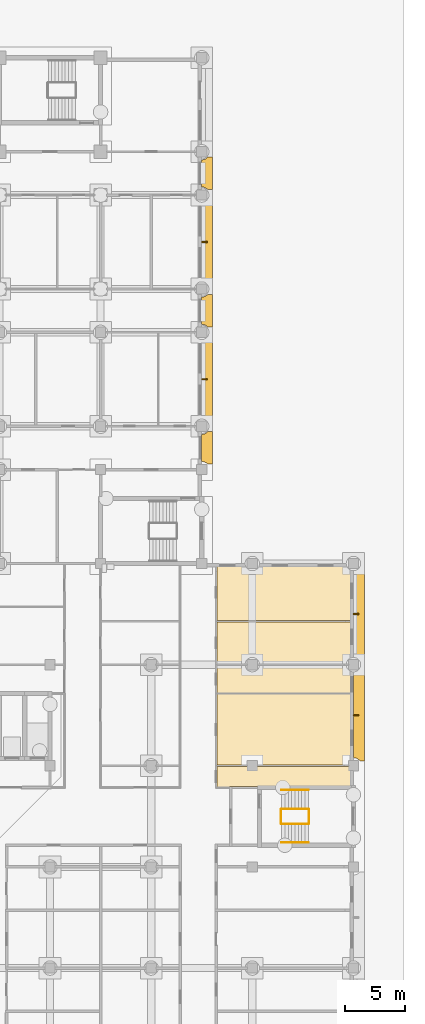
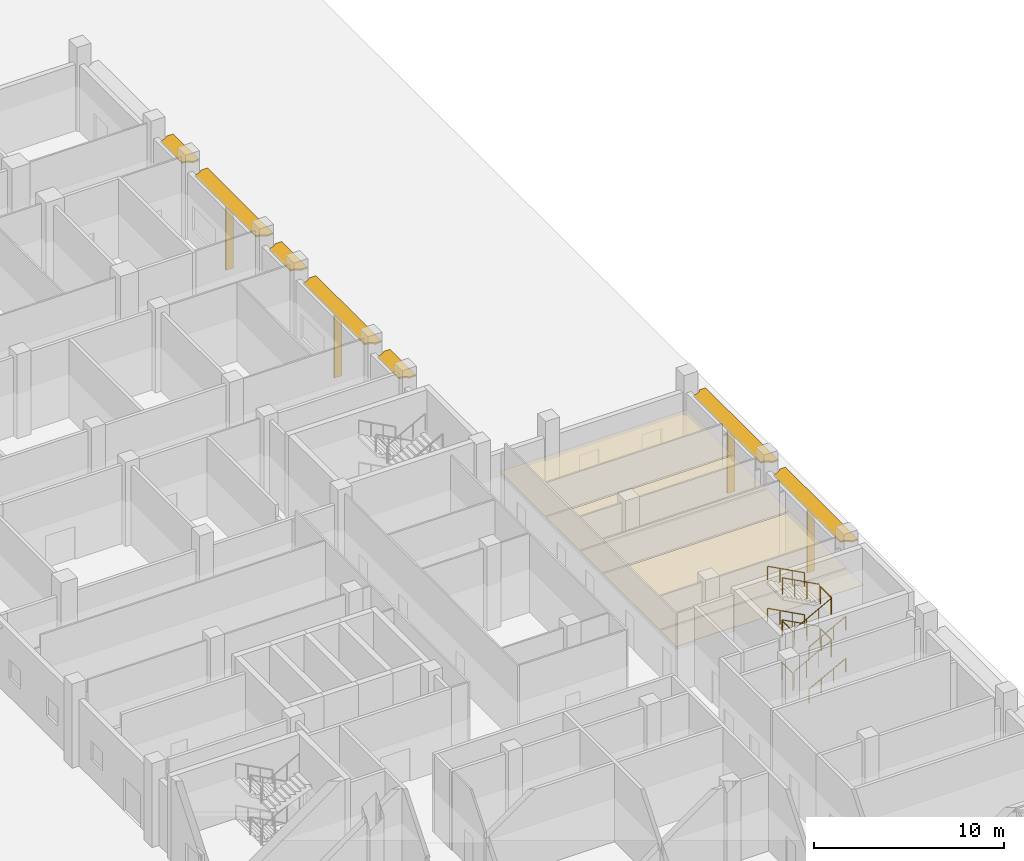
# One storey, part 139 of 146: 12 railings, 11 shading devices, 5 coverings.
"""IFC4 building model written with IfcOpenShell, lengths in metres."""

from ifc_helpers import new_model, si_unit, direction, frame, origin, origin_2d, place, context, subcontext, project, spatial, polyline, rectangle, circle, outline, extrude, material, layer, layer_set, material_profile, profile_set, type_object, element, save


model = new_model("IFC4")

# Units and contexts
model_context = context("Model", 3, precision=1e-05, world=origin(), true_north=direction((0.0, 1.0)))
body_context = subcontext(model_context, "Body", "Model", "MODEL_VIEW")
ifc_project = project(units=[si_unit("LENGTHUNIT", "METRE"), si_unit("AREAUNIT", "SQUARE_METRE"), si_unit("VOLUMEUNIT", "CUBIC_METRE"), si_unit("PLANEANGLEUNIT", "RADIAN"), si_unit("MASSUNIT", "GRAM", prefix="KILO")], contexts=[model_context])

# Site, building, storey
site_placement = place(None, origin())
site = spatial("IfcSite", under=ifc_project, at=site_placement, CompositionType="ELEMENT")
building_placement = place(site_placement, origin())
building = spatial("IfcBuilding", under=site, at=building_placement, Name="Bougainvillea Quay General Hospital", CompositionType="ELEMENT")
storey_placement = place(building_placement, origin())
storey = spatial("IfcBuildingStorey", under=building, at=storey_placement, Name="L00", CompositionType="ELEMENT", Elevation=0.0)

# Railings
ifc_material_1 = material(Name="Stainless steel 304 balustrade", Category="steel")
railing_type_1 = type_object("IfcRailingType", Name="Stair guard 1100", PredefinedType="GUARDRAIL", material=ifc_material_1)
railing_1_placement = place(storey_placement, frame((199.824951171875, 95.97509765625, 0.14990234375)))
element("IfcRailing", 1, at=railing_1_placement, inside=storey, type_object=railing_type_1, Name="L00 ST-T2 stair guard 1", PredefinedType="GUARDRAIL", context=body_context, shape_type="SweptSolid", body=[
    extrude(circle(Radius=0.02392578125, at=origin_2d()), frame((0.0, 0.0, 1.076171875), z_axis=(0.881447119201, 0.0, 0.472282728937), x_axis=(0.0, 1.0, 0.0)), (0.0, 0.0, 1.0), 2.541259765625),
    extrude(circle(Radius=0.02099609375, at=origin_2d()), origin(), (0.0, 0.0, 1.0), 1.052001953125),
    extrude(circle(Radius=0.02099609375, at=origin_2d()), frame((0.74658203125, 0.0, 0.400146484375)), (0.0, 0.0, 1.0), 1.052001953125),
    extrude(circle(Radius=0.02099609375, at=origin_2d()), frame((1.493408203125, 0.0, 0.800048828125)), (0.0, 0.0, 1.0), 1.052001953125),
    extrude(circle(Radius=0.02099609375, at=origin_2d()), frame((2.239990234375, 0.0, 1.2001953125)), (0.0, 0.0, 1.0), 1.052001953125),
])
railing_2_placement = place(storey_placement, frame((202.114990234375, 96.02490234375, 1.35009765625)))
element("IfcRailing", 2, at=railing_2_placement, inside=storey, type_object=railing_type_1, Name="L00 ST-T2 stair guard 2", PredefinedType="GUARDRAIL", context=body_context, shape_type="SweptSolid", body=[
    extrude(circle(Radius=0.02392578125, at=origin_2d()), frame((0.0, 0.0, 1.076171875), z_axis=(0.0, 1.0, 0.0), x_axis=(-1.0, 0.0, 0.0)), (0.0, 0.0, 1.0), 1.150146484375),
    extrude(circle(Radius=0.02099609375, at=origin_2d()), origin(), (0.0, 0.0, 1.0), 1.052001953125),
    extrude(circle(Radius=0.02099609375, at=origin_2d()), frame((0.0, 1.150146484375, 0.0)), (0.0, 0.0, 1.0), 1.052001953125),
])
railing_3_placement = place(storey_placement, frame((202.06494140625, 97.22509765625, 1.5)))
element("IfcRailing", 3, at=railing_3_placement, inside=storey, type_object=railing_type_1, Name="L00 ST-T2 stair guard 3", PredefinedType="GUARDRAIL", context=body_context, shape_type="SweptSolid", body=[
    extrude(circle(Radius=0.02392578125, at=origin_2d()), frame((0.0, 0.0, 1.076171875), z_axis=(-0.881487111273, 0.0, 0.472208081951), x_axis=(0.0, -1.0, 0.0)), (0.0, 0.0, 1.0), 2.541259765625),
    extrude(circle(Radius=0.02099609375, at=origin_2d()), origin(), (0.0, 0.0, 1.0), 1.052001953125),
    extrude(circle(Radius=0.02099609375, at=origin_2d()), frame((-0.74658203125, 0.0, 0.39990234375)), (0.0, 0.0, 1.0), 1.052001953125),
    extrude(circle(Radius=0.02099609375, at=origin_2d()), frame((-1.493408203125, 0.0, 0.800048828125)), (0.0, 0.0, 1.0), 1.052001953125),
    extrude(circle(Radius=0.02099609375, at=origin_2d()), frame((-2.239990234375, 0.0, 1.199951171875)), (0.0, 0.0, 1.0), 1.052001953125),
])
railing_4_placement = place(storey_placement, frame((199.77490234375, 96.02490234375, 2.699951171875)))
element("IfcRailing", 4, at=railing_4_placement, inside=storey, type_object=railing_type_1, Name="L00 ST-T2 stair guard 4", PredefinedType="GUARDRAIL", context=body_context, shape_type="SweptSolid", body=[
    extrude(circle(Radius=0.02392578125, at=origin_2d()), frame((0.0, 0.0, 1.076171875), z_axis=(0.0, 1.0, 0.0), x_axis=(-1.0, 0.0, 0.0)), (0.0, 0.0, 1.0), 1.150146484375),
    extrude(circle(Radius=0.02099609375, at=origin_2d()), origin(), (0.0, 0.0, 1.0), 1.052001953125),
    extrude(circle(Radius=0.02099609375, at=origin_2d()), frame((0.0, 1.150146484375, 0.0)), (0.0, 0.0, 1.0), 1.052001953125),
])
railing_5_placement = place(storey_placement, frame((199.824951171875, 95.97509765625, 2.85009765625)))
element("IfcRailing", 5, at=railing_5_placement, inside=storey, type_object=railing_type_1, Name="L00 ST-T2 stair guard 5", PredefinedType="GUARDRAIL", context=body_context, shape_type="SweptSolid", body=[
    extrude(circle(Radius=0.02392578125, at=origin_2d()), frame((0.0, 0.0, 1.076171875), z_axis=(0.881487111273, 0.0, 0.472208081951), x_axis=(0.0, 1.0, 0.0)), (0.0, 0.0, 1.0), 2.541259765625),
    extrude(circle(Radius=0.02099609375, at=origin_2d()), origin(), (0.0, 0.0, 1.0), 1.052001953125),
    extrude(circle(Radius=0.02099609375, at=origin_2d()), frame((0.74658203125, 0.0, 0.39990234375)), (0.0, 0.0, 1.0), 1.052001953125),
    extrude(circle(Radius=0.02099609375, at=origin_2d()), frame((1.493408203125, 0.0, 0.800048828125)), (0.0, 0.0, 1.0), 1.052001953125),
    extrude(circle(Radius=0.02099609375, at=origin_2d()), frame((2.239990234375, 0.0, 1.199951171875)), (0.0, 0.0, 1.0), 1.052001953125),
])
railing_6_placement = place(storey_placement, frame((202.114990234375, 96.02490234375, 4.050048828125)))
element("IfcRailing", 6, at=railing_6_placement, inside=storey, type_object=railing_type_1, Name="L00 ST-T2 stair guard 6", PredefinedType="GUARDRAIL", context=body_context, shape_type="SweptSolid", body=[
    extrude(circle(Radius=0.02392578125, at=origin_2d()), frame((0.0, 0.0, 1.076171875), z_axis=(0.0, 1.0, 0.0), x_axis=(-1.0, 0.0, 0.0)), (0.0, 0.0, 1.0), 1.150146484375),
    extrude(circle(Radius=0.02099609375, at=origin_2d()), origin(), (0.0, 0.0, 1.0), 1.052001953125),
    extrude(circle(Radius=0.02099609375, at=origin_2d()), frame((0.0, 1.150146484375, 0.0)), (0.0, 0.0, 1.0), 1.052001953125),
])
railing_7_placement = place(storey_placement, frame((202.06494140625, 97.22509765625, 4.199951171875)))
element("IfcRailing", 7, at=railing_7_placement, inside=storey, type_object=railing_type_1, Name="L00 ST-T2 stair guard 7", PredefinedType="GUARDRAIL", context=body_context, shape_type="SweptSolid", body=[
    extrude(circle(Radius=0.02392578125, at=origin_2d()), frame((0.0, 0.0, 1.076171875), z_axis=(-0.881487111273, 0.0, 0.472208081951), x_axis=(0.0, -1.0, 0.0)), (0.0, 0.0, 1.0), 2.541259765625),
    extrude(circle(Radius=0.02099609375, at=origin_2d()), origin(), (0.0, 0.0, 1.0), 1.052001953125),
    extrude(circle(Radius=0.02099609375, at=origin_2d()), frame((-0.74658203125, 0.0, 0.39990234375)), (0.0, 0.0, 1.0), 1.052001953125),
    extrude(circle(Radius=0.02099609375, at=origin_2d()), frame((-1.493408203125, 0.0, 0.800048828125)), (0.0, 0.0, 1.0), 1.052001953125),
    extrude(circle(Radius=0.02099609375, at=origin_2d()), frame((-2.239990234375, 0.0, 1.199951171875)), (0.0, 0.0, 1.0), 1.052001953125),
])
railing_8_placement = place(storey_placement, frame((199.77490234375, 96.02490234375, 0.0)))
element("IfcRailing", 8, at=railing_8_placement, inside=storey, type_object=railing_type_1, Name="L00 ST-T2 stair guard 8", PredefinedType="GUARDRAIL", context=body_context, shape_type="SweptSolid", body=[
    extrude(circle(Radius=0.02392578125, at=origin_2d()), frame((0.0, 0.0, 1.076171875), z_axis=(0.0, 1.0, 0.0), x_axis=(-1.0, 0.0, 0.0)), (0.0, 0.0, 1.0), 1.150146484375),
    extrude(circle(Radius=0.02099609375, at=origin_2d()), origin(), (0.0, 0.0, 1.0), 1.052001953125),
    extrude(circle(Radius=0.02099609375, at=origin_2d()), frame((0.0, 1.150146484375, 0.0)), (0.0, 0.0, 1.0), 1.052001953125),
])
ifc_material_2 = material(Name="Stainless steel 304 handrail", Category="steel")
railing_type_2 = type_object("IfcRailingType", Name="Stair handrail 900", PredefinedType="HANDRAIL", material=ifc_material_2)
railing_9_placement = place(storey_placement, frame((199.824951171875, 94.425048828125, 0.14990234375)))
element("IfcRailing", 9, at=railing_9_placement, inside=storey, type_object=railing_type_2, Name="L00 ST-T2 stair handrail 1", PredefinedType="HANDRAIL", context=body_context, shape_type="SweptSolid", body=[
    extrude(circle(Radius=0.02392578125, at=origin_2d()), frame((0.0, 0.0, 0.8759765625), z_axis=(0.881447119201, 0.0, 0.472282728937), x_axis=(0.0, 1.0, 0.0)), (0.0, 0.0, 1.0), 2.541259765625),
    extrude(circle(Radius=0.02099609375, at=origin_2d()), origin(), (0.0, 0.0, 1.0), 0.851806640625),
    extrude(circle(Radius=0.02099609375, at=origin_2d()), frame((0.74658203125, 0.0, 0.400146484375)), (0.0, 0.0, 1.0), 0.851806640625),
    extrude(circle(Radius=0.02099609375, at=origin_2d()), frame((1.493408203125, 0.0, 0.800048828125)), (0.0, 0.0, 1.0), 0.851806640625),
    extrude(circle(Radius=0.02099609375, at=origin_2d()), frame((2.239990234375, 0.0, 1.2001953125)), (0.0, 0.0, 1.0), 0.851806640625),
])
railing_10_placement = place(storey_placement, frame((202.06494140625, 98.77490234375, 1.5)))
element("IfcRailing", 10, at=railing_10_placement, inside=storey, type_object=railing_type_2, Name="L00 ST-T2 stair handrail 2", PredefinedType="HANDRAIL", context=body_context, shape_type="SweptSolid", body=[
    extrude(circle(Radius=0.02392578125, at=origin_2d()), frame((0.0, 0.0, 0.8759765625), z_axis=(-0.881487111273, 0.0, 0.472208081951), x_axis=(0.0, -1.0, 0.0)), (0.0, 0.0, 1.0), 2.541259765625),
    extrude(circle(Radius=0.02099609375, at=origin_2d()), origin(), (0.0, 0.0, 1.0), 0.851806640625),
    extrude(circle(Radius=0.02099609375, at=origin_2d()), frame((-0.74658203125, 0.0, 0.39990234375)), (0.0, 0.0, 1.0), 0.851806640625),
    extrude(circle(Radius=0.02099609375, at=origin_2d()), frame((-1.493408203125, 0.0, 0.800048828125)), (0.0, 0.0, 1.0), 0.851806640625),
    extrude(circle(Radius=0.02099609375, at=origin_2d()), frame((-2.239990234375, 0.0, 1.199951171875)), (0.0, 0.0, 1.0), 0.851806640625),
])
railing_11_placement = place(storey_placement, frame((199.824951171875, 94.425048828125, 2.85009765625)))
element("IfcRailing", 11, at=railing_11_placement, inside=storey, type_object=railing_type_2, Name="L00 ST-T2 stair handrail 3", PredefinedType="HANDRAIL", context=body_context, shape_type="SweptSolid", body=[
    extrude(circle(Radius=0.02392578125, at=origin_2d()), frame((0.0, 0.0, 0.8759765625), z_axis=(0.881487111273, 0.0, 0.472208081951), x_axis=(0.0, 1.0, 0.0)), (0.0, 0.0, 1.0), 2.541259765625),
    extrude(circle(Radius=0.02099609375, at=origin_2d()), origin(), (0.0, 0.0, 1.0), 0.851806640625),
    extrude(circle(Radius=0.02099609375, at=origin_2d()), frame((0.74658203125, 0.0, 0.39990234375)), (0.0, 0.0, 1.0), 0.851806640625),
    extrude(circle(Radius=0.02099609375, at=origin_2d()), frame((1.493408203125, 0.0, 0.800048828125)), (0.0, 0.0, 1.0), 0.851806640625),
    extrude(circle(Radius=0.02099609375, at=origin_2d()), frame((2.239990234375, 0.0, 1.199951171875)), (0.0, 0.0, 1.0), 0.851806640625),
])
railing_12_placement = place(storey_placement, frame((202.06494140625, 98.77490234375, 4.199951171875)))
element("IfcRailing", 12, at=railing_12_placement, inside=storey, type_object=railing_type_2, Name="L00 ST-T2 stair handrail 4", PredefinedType="HANDRAIL", context=body_context, shape_type="SweptSolid", body=[
    extrude(circle(Radius=0.02392578125, at=origin_2d()), frame((0.0, 0.0, 0.8759765625), z_axis=(-0.881487111273, 0.0, 0.472208081951), x_axis=(0.0, -1.0, 0.0)), (0.0, 0.0, 1.0), 2.541259765625),
    extrude(circle(Radius=0.02099609375, at=origin_2d()), origin(), (0.0, 0.0, 1.0), 0.851806640625),
    extrude(circle(Radius=0.02099609375, at=origin_2d()), frame((-0.74658203125, 0.0, 0.39990234375)), (0.0, 0.0, 1.0), 0.851806640625),
    extrude(circle(Radius=0.02099609375, at=origin_2d()), frame((-1.493408203125, 0.0, 0.800048828125)), (0.0, 0.0, 1.0), 0.851806640625),
    extrude(circle(Radius=0.02099609375, at=origin_2d()), frame((-2.239990234375, 0.0, 1.199951171875)), (0.0, 0.0, 1.0), 0.851806640625),
])

# Shading devices
ifc_material_3 = material(Name="Powder-coated aluminium canopy soffit and fascia, white", Category="aluminium")
ifc_layer_1 = layer(ifc_material_3, 0.10009765625)
ifc_layer_set_1 = layer_set([ifc_layer_1], Name="Powder-coated aluminium canopy soffit and fascia, white")
shading_device_type_1 = type_object("IfcShadingDeviceType", Name="Sunshade 100", PredefinedType="USERDEFINED", material=ifc_layer_set_1)
shading_device_1_placement = place(storey_placement, frame((0.0, 0.0, 4.050048828125)))
element("IfcShadingDevice", 13, at=shading_device_1_placement, inside=storey, type_object=shading_device_type_1, Name="Sunshade 0", ObjectType="Sunshade", PredefinedType="USERDEFINED", context=body_context, shape_type="SweptSolid", body=[
    extrude(outline(polyline([(205.800048828125, 108.52490234375), (205.800048828125, 101.47509765625), (205.931640625, 101.4619140625), (205.995849609375, 101.446044921875), (206.1181640625, 101.395263671875), (206.228271484375, 101.32177734375), (206.27734375, 101.27734375), (206.3427734375, 101.199951171875), (206.699951171875, 101.199951171875), (206.699951171875, 108.800048828125), (206.3427734375, 108.800048828125), (206.27734375, 108.72265625), (206.228271484375, 108.67822265625), (206.1181640625, 108.604736328125), (205.995849609375, 108.553955078125), (205.931640625, 108.5380859375), (205.800048828125, 108.52490234375)])), origin(), (0.0, 0.0, 1.0), 0.099853515625),
])
shading_device_2_placement = place(storey_placement, frame((0.0, 0.0, 4.050048828125)))
element("IfcShadingDevice", 14, at=shading_device_2_placement, inside=storey, type_object=shading_device_type_1, Name="Sunshade 0", ObjectType="Sunshade", PredefinedType="USERDEFINED", context=body_context, shape_type="SweptSolid", body=[
    extrude(outline(polyline([(205.800048828125, 116.925048828125), (205.800048828125, 109.875), (205.931640625, 109.862060546875), (205.995849609375, 109.845947265625), (206.1181640625, 109.79541015625), (206.228271484375, 109.7216796875), (206.27734375, 109.67724609375), (206.3427734375, 109.60009765625), (206.699951171875, 109.60009765625), (206.699951171875, 117.199951171875), (206.3427734375, 117.199951171875), (206.27734375, 117.122802734375), (206.228271484375, 117.078125), (206.1181640625, 117.004638671875), (205.995849609375, 116.9541015625), (205.931640625, 116.93798828125), (205.800048828125, 116.925048828125)])), origin(), (0.0, 0.0, 1.0), 0.099853515625),
])
shading_device_3_placement = place(storey_placement, frame((0.0, 0.0, 4.050048828125)))
element("IfcShadingDevice", 15, at=shading_device_3_placement, inside=storey, type_object=shading_device_type_1, Name="Sunshade 0", ObjectType="Sunshade", PredefinedType="USERDEFINED", context=body_context, shape_type="SweptSolid", body=[
    extrude(outline(polyline([(193.199951171875, 128.324951171875), (193.199951171875, 126.074951171875), (193.331787109375, 126.06201171875), (193.458251953125, 126.023681640625), (193.574951171875, 125.961181640625), (193.628173828125, 125.921875), (193.7021484375, 125.85009765625), (194.10009765625, 125.85009765625), (194.10009765625, 128.550048828125), (193.7021484375, 128.550048828125), (193.628173828125, 128.478271484375), (193.574951171875, 128.438720703125), (193.458251953125, 128.37646484375), (193.331787109375, 128.337890625), (193.199951171875, 128.324951171875)])), origin(), (0.0, 0.0, 1.0), 0.099853515625),
])
shading_device_4_placement = place(storey_placement, frame((0.0, 0.0, 4.050048828125)))
element("IfcShadingDevice", 16, at=shading_device_4_placement, inside=storey, type_object=shading_device_type_1, Name="Sunshade 0", ObjectType="Sunshade", PredefinedType="USERDEFINED", context=body_context, shape_type="SweptSolid", body=[
    extrude(outline(polyline([(193.199951171875, 136.125), (193.199951171875, 129.675048828125), (193.331787109375, 129.662109375), (193.458251953125, 129.62353515625), (193.574951171875, 129.561279296875), (193.628173828125, 129.521728515625), (193.7021484375, 129.449951171875), (194.10009765625, 129.449951171875), (194.10009765625, 136.35009765625), (193.7021484375, 136.35009765625), (193.628173828125, 136.2783203125), (193.574951171875, 136.23876953125), (193.458251953125, 136.17626953125), (193.331787109375, 136.137939453125), (193.199951171875, 136.125)])), origin(), (0.0, 0.0, 1.0), 0.099853515625),
])
shading_device_5_placement = place(storey_placement, frame((0.0, 0.0, 4.050048828125)))
element("IfcShadingDevice", 17, at=shading_device_5_placement, inside=storey, type_object=shading_device_type_1, Name="Sunshade 0", ObjectType="Sunshade", PredefinedType="USERDEFINED", context=body_context, shape_type="SweptSolid", body=[
    extrude(outline(polyline([(193.199951171875, 139.72509765625), (193.199951171875, 137.47509765625), (193.331787109375, 137.4619140625), (193.458251953125, 137.423583984375), (193.574951171875, 137.361328125), (193.628173828125, 137.32177734375), (193.7021484375, 137.25), (194.10009765625, 137.25), (194.10009765625, 139.949951171875), (193.7021484375, 139.949951171875), (193.628173828125, 139.878173828125), (193.574951171875, 139.8388671875), (193.458251953125, 139.7763671875), (193.331787109375, 139.738037109375), (193.199951171875, 139.72509765625)])), origin(), (0.0, 0.0, 1.0), 0.099853515625),
])
shading_device_6_placement = place(storey_placement, frame((0.0, 0.0, 4.050048828125)))
element("IfcShadingDevice", 18, at=shading_device_6_placement, inside=storey, type_object=shading_device_type_1, Name="Sunshade 0", ObjectType="Sunshade", PredefinedType="USERDEFINED", context=body_context, shape_type="SweptSolid", body=[
    extrude(outline(polyline([(193.199951171875, 147.52490234375), (193.199951171875, 141.074951171875), (193.331787109375, 141.06201171875), (193.458251953125, 141.023681640625), (193.574951171875, 140.961181640625), (193.628173828125, 140.921875), (193.7021484375, 140.85009765625), (194.10009765625, 140.85009765625), (194.10009765625, 147.75), (193.7021484375, 147.75), (193.628173828125, 147.67822265625), (193.574951171875, 147.638671875), (193.458251953125, 147.576416015625), (193.331787109375, 147.5380859375), (193.199951171875, 147.52490234375)])), origin(), (0.0, 0.0, 1.0), 0.099853515625),
])
shading_device_7_placement = place(storey_placement, frame((0.0, 0.0, 4.050048828125)))
element("IfcShadingDevice", 19, at=shading_device_7_placement, inside=storey, type_object=shading_device_type_1, Name="Sunshade 0", ObjectType="Sunshade", PredefinedType="USERDEFINED", context=body_context, shape_type="SweptSolid", body=[
    extrude(outline(polyline([(193.199951171875, 151.125), (193.199951171875, 148.875), (193.331787109375, 148.862060546875), (193.458251953125, 148.82373046875), (193.574951171875, 148.76123046875), (193.628173828125, 148.7216796875), (193.7021484375, 148.64990234375), (194.10009765625, 148.64990234375), (194.10009765625, 151.35009765625), (193.7021484375, 151.35009765625), (193.628173828125, 151.2783203125), (193.574951171875, 151.23876953125), (193.458251953125, 151.17626953125), (193.331787109375, 151.137939453125), (193.199951171875, 151.125)])), origin(), (0.0, 0.0, 1.0), 0.099853515625),
])

# Coverings
ifc_material_4 = material(Name="Mineral fibre ceiling tile")
ifc_layer_2 = layer(ifc_material_4, 0.030029296875)
ifc_layer_set_2 = layer_set([ifc_layer_2], Name="Mineral fibre ceiling tile")
covering_type = type_object("IfcCoveringType", Name="Suspended ceiling mineral fibre tile", PredefinedType="CEILING", material=ifc_layer_set_2)
covering_1_placement = place(storey_placement, frame((0.0, 0.0, 2.800048828125)))
element("IfcCovering", 20, at=covering_1_placement, inside=storey, type_object=covering_type, Name="Ceiling Theatre Staff Locker Room", PredefinedType="CEILING", context=body_context, shape_type="SweptSolid", body=[
    extrude(outline(polyline([(205.800048828125, 100.75), (194.449951171875, 100.75), (194.449951171875, 99.050048828125), (195.5, 99.050048828125), (195.5, 99.10009765625), (198.10009765625, 99.10009765625), (198.10009765625, 99.050048828125), (205.800048828125, 99.050048828125), (205.800048828125, 100.75)])), origin(), (0.0, 0.0, 1.0), 0.030029296875),
])
covering_2_placement = place(storey_placement, frame((0.0, 0.0, 2.800048828125)))
element("IfcCovering", 21, at=covering_2_placement, inside=storey, type_object=covering_type, Name="Ceiling Theatre Staff Rest Room", PredefinedType="CEILING", context=body_context, shape_type="SweptSolid", body=[
    extrude(outline(polyline([(205.800048828125, 106.75), (194.449951171875, 106.75), (194.449951171875, 100.85009765625), (205.800048828125, 100.85009765625), (205.800048828125, 106.75)])), origin(), (0.0, 0.0, 1.0), 0.030029296875),
])
covering_3_placement = place(storey_placement, frame((0.0, 0.0, 2.800048828125)))
element("IfcCovering", 22, at=covering_3_placement, inside=storey, type_object=covering_type, Name="Ceiling Theatre Duty Manager Office", PredefinedType="CEILING", context=body_context, shape_type="SweptSolid", body=[
    extrude(outline(polyline([(205.800048828125, 109.14990234375), (194.449951171875, 109.14990234375), (194.449951171875, 106.85009765625), (205.800048828125, 106.85009765625), (205.800048828125, 109.14990234375)])), origin(), (0.0, 0.0, 1.0), 0.030029296875),
])
covering_4_placement = place(storey_placement, frame((0.0, 0.0, 2.800048828125)))
element("IfcCovering", 23, at=covering_4_placement, inside=storey, type_object=covering_type, Name="Ceiling Theatre Staff Pantry", PredefinedType="CEILING", context=body_context, shape_type="SweptSolid", body=[
    extrude(outline(polyline([(205.800048828125, 112.75), (194.449951171875, 112.75), (194.449951171875, 109.25), (205.800048828125, 109.25), (205.800048828125, 112.75)])), origin(), (0.0, 0.0, 1.0), 0.030029296875),
])
covering_5_placement = place(storey_placement, frame((0.0, 0.0, 2.800048828125)))
element("IfcCovering", 24, at=covering_5_placement, inside=storey, type_object=covering_type, Name="Ceiling Theatre Staff Changing Room (Women)", PredefinedType="CEILING", context=body_context, shape_type="SweptSolid", body=[
    extrude(outline(polyline([(194.449951171875, 117.60009765625), (194.449951171875, 112.85009765625), (205.800048828125, 112.85009765625), (205.800048828125, 117.60009765625), (194.449951171875, 117.60009765625)])), origin(), (0.0, 0.0, 1.0), 0.030029296875),
])

# Shading devices
ifc_material_5 = material(Name="Powder-coated aluminium fin, white", Category="aluminium")
ifc_material_profile = material_profile(ifc_material_5, rectangle(XDim=0.449951171875, YDim=0.10009765625, at=origin_2d()))
ifc_profile_set = profile_set([ifc_material_profile], Name="Powder-coated aluminium fin, white")
shading_device_type_2 = type_object("IfcShadingDeviceType", Name="Vertical fin 450x100", PredefinedType="USERDEFINED", material=ifc_profile_set)
for number, where, z_axis, x_axis, name in (
    (25, (206.02490234375, 105.0, 0.0), (0.0, 0.0, 1.0), (1.0, 0.0, 0.0), "Vertical fin 02e 1"),
    (26, (206.02490234375, 113.39990234375, 0.0), (0.0, 0.0, 1.0), (1.0, 0.0, 0.0), "Vertical fin 02f 1"),
    (27, (193.425048828125, 132.89990234375, 0.0), (0.0, 0.0, 1.0), (1.0, 0.0, 0.0), "Vertical fin 00c 1"),
    (28, (193.425048828125, 144.300048828125, 0.0), (0.0, 0.0, 1.0), (1.0, 0.0, 0.0), "Vertical fin 00e 1"),
):
    element("IfcShadingDevice", number, at=place(storey_placement, frame(where, z_axis=z_axis, x_axis=x_axis)), inside=storey, type_object=shading_device_type_2, Name=name, ObjectType="Vertical fin", PredefinedType="USERDEFINED", context=body_context, shape_type="SweptSolid", body=[
        extrude(rectangle(XDim=0.449951171875, YDim=0.10009765625, at=origin_2d()), origin(), (0.0, 0.0, 1.0), 4.050048828125),
    ])

save(model, "model.ifc")
